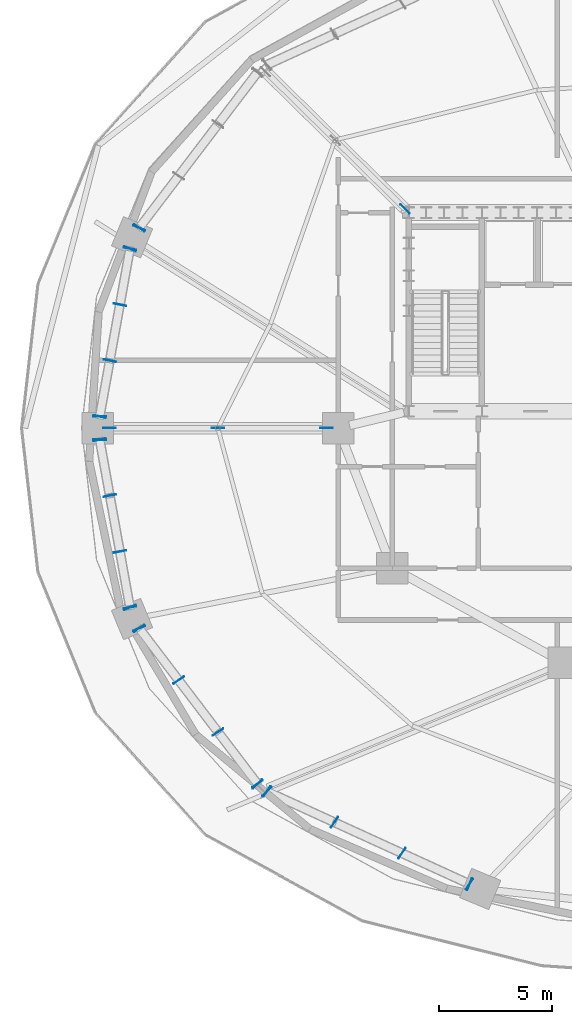
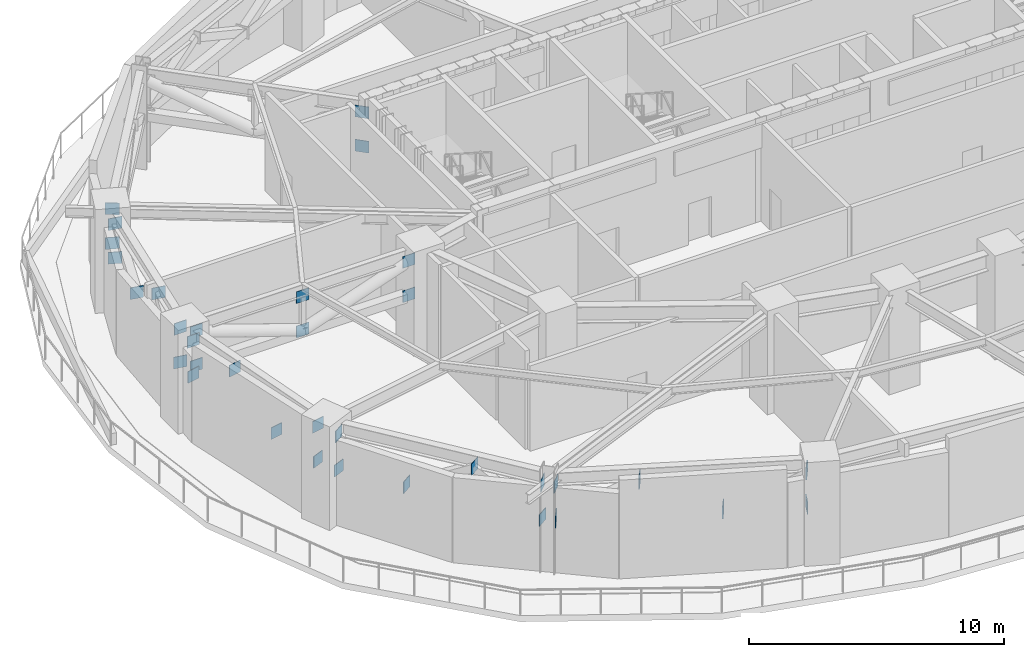
# One storey, part 10 of 18: 34 plates.
"""IFC4 building model written with IfcOpenShell, lengths in metres."""

from ifc_helpers import new_model, si_unit, direction, frame, origin, origin_2d, place, context, subcontext, project, spatial, rectangle, extrude, material, layer, layer_set, type_object, element, save


model = new_model("IFC4")

# Units and contexts
model_context = context("Model", 3, precision=1e-05, world=origin(), true_north=direction((0.0, 1.0)))
body_context = subcontext(model_context, "Body", "Model", "MODEL_VIEW")
ifc_project = project(units=[si_unit("LENGTHUNIT", "METRE"), si_unit("AREAUNIT", "SQUARE_METRE"), si_unit("VOLUMEUNIT", "CUBIC_METRE"), si_unit("PLANEANGLEUNIT", "RADIAN"), si_unit("MASSUNIT", "GRAM", prefix="KILO")], contexts=[model_context])

# Site, building, storey
site_placement = place(None, origin())
site = spatial("IfcSite", under=ifc_project, at=site_placement, CompositionType="ELEMENT")
building_placement = place(site_placement, origin())
building = spatial("IfcBuilding", under=site, at=building_placement, Name="Haldorwick Loom Tower", CompositionType="ELEMENT")
storey_placement = place(building_placement, frame((0.0, 0.0, 76.800048828125)))
storey = spatial("IfcBuildingStorey", under=building, at=storey_placement, Name="L20", CompositionType="ELEMENT", Elevation=76.800048828125)

# Plates
ifc_material = material(Name="Steel CSA G40.21 350W", Category="steel")
ifc_layer = layer(ifc_material, 0.028076171875, Name="Steel CSA G40.21 350W", Category="steel")
ifc_layer_set = layer_set([ifc_layer], Name="Steel CSA G40.21 350W")
plate_type = type_object("IfcPlateType", Name="STR-PLT-GUS28", PredefinedType="SHEET", material=ifc_layer_set)
for number, where, z_axis, x_axis, name in (
    (1, (9.984130859375, 34.87109375, 3.864013671875), (0.0, 0.0, 1.0), (-0.831469612303, 0.55557023302, 0.0), "L20 Truss Node Gusset Plate PLT-L20-BGUS-06-2B"),
    (2, (9.984130859375, 34.87109375, 2.219970703125), (0.0, 0.0, 1.0), (-0.923879532511, 0.382683432365, 0.0), "L20 Truss Node Gusset Plate PLT-L20-BGUS-06C"),
    (3, (9.576904296875, 33.945556640625, 3.864013671875), (0.0, 0.0, 1.0), (-0.980785280403, 0.195090322016, 0.0), "L20 Truss Node Gusset Plate PLT-L20-BGUS-07-0A"),
    (4, (9.129638671875, 31.467529296875, 2.219970703125), (0.0, 0.0, 1.0), (-0.980785280403, 0.195090322016, 0.0), "L20 Truss Node Gusset Plate PLT-L20-BGUS-07-0B"),
    (5, (8.68212890625, 28.98974609375, 3.864013671875), (0.0, 0.0, 1.0), (-0.980785280403, 0.195090322016, 0.0), "L20 Truss Node Gusset Plate PLT-L20-BGUS-07-1B"),
    (6, (8.23486328125, 26.51171875, 2.219970703125), (0.0, 0.0, 1.0), (-0.980785280403, 0.195090322016, 0.0), "L20 Truss Node Gusset Plate PLT-L20-BGUS-07-2B"),
    (7, (9.576904296875, 33.945556640625, 2.219970703125), (0.0, 0.0, 1.0), (-0.923879532511, 0.382683432365, 0.0), "L20 Truss Node Gusset Plate PLT-L20-BGUS-07A"),
    (8, (8.23486328125, 26.51171875, 3.864013671875), (0.0, 0.0, 1.0), (-1.0, 0.0, 0.0), "L20 Truss Node Gusset Plate PLT-L20-BGUS-07D"),
    (9, (8.23486328125, 25.48828125, 2.219970703125), (0.0, 0.0, 1.0), (-0.980785280403, -0.195090322016, 0.0), "L20 Truss Node Gusset Plate PLT-L20-BGUS-08-0A"),
    (10, (8.68212890625, 23.01025390625, 3.864013671875), (0.0, 0.0, 1.0), (-0.980785280403, -0.195090322016, 0.0), "L20 Truss Node Gusset Plate PLT-L20-BGUS-08-0B"),
    (11, (9.129638671875, 20.532470703125, 2.219970703125), (0.0, 0.0, 1.0), (-0.980785280403, -0.195090322016, 0.0), "L20 Truss Node Gusset Plate PLT-L20-BGUS-08-1B"),
    (12, (9.576904296875, 18.054443359375, 3.864013671875), (0.0, 0.0, 1.0), (-0.980785280403, -0.195090322016, 0.0), "L20 Truss Node Gusset Plate PLT-L20-BGUS-08-2B"),
    (13, (8.23486328125, 25.48828125, 3.864013671875), (0.0, 0.0, 1.0), (-1.0, 0.0, 0.0), "L20 Truss Node Gusset Plate PLT-L20-BGUS-08B"),
    (14, (9.576904296875, 18.054443359375, 2.219970703125), (0.0, 0.0, 1.0), (-0.923879532511, -0.382683432365, 0.0), "L20 Truss Node Gusset Plate PLT-L20-BGUS-08C"),
    (15, (9.984130859375, 17.12890625, 3.864013671875), (0.0, 0.0, 1.0), (-0.831469612303, -0.55557023302, 0.0), "L20 Truss Node Gusset Plate PLT-L20-BGUS-09-0A"),
    (16, (11.731689453125, 14.83154296875, 2.219970703125), (0.0, 0.0, 1.0), (-0.831469612303, -0.55557023302, 0.0), "L20 Truss Node Gusset Plate PLT-L20-BGUS-09-0B"),
    (17, (13.479248046875, 12.534423828125, 3.864013671875), (0.0, 0.0, 1.0), (-0.831469612303, -0.55557023302, 0.0), "L20 Truss Node Gusset Plate PLT-L20-BGUS-09-1B"),
    (18, (15.226806640625, 10.2373046875, 2.219970703125), (0.0, 0.0, 1.0), (-0.831469612303, -0.55557023302, 0.0), "L20 Truss Node Gusset Plate PLT-L20-BGUS-09-2B"),
    (19, (9.984130859375, 17.12890625, 2.219970703125), (0.0, 0.0, 1.0), (-0.923879532511, -0.382683432365, 0.0), "L20 Truss Node Gusset Plate PLT-L20-BGUS-09A"),
    (20, (15.226806640625, 10.2373046875, 3.864013671875), (0.0, 0.0, 1.0), (-0.707106781187, -0.707106781187, 0.0), "L20 Truss Node Gusset Plate PLT-L20-BGUS-09D"),
    (21, (15.643310546875, 9.90380859375, 2.219970703125), (0.0, 0.0, 1.0), (-0.55557023302, -0.831469612303, 0.0), "L20 Truss Node Gusset Plate PLT-L20-BGUS-10-0A"),
    (22, (18.6357421875, 8.535400390625, 3.864013671875), (0.0, 0.0, 1.0), (-0.55557023302, -0.831469612303, 0.0), "L20 Truss Node Gusset Plate PLT-L20-BGUS-10-0B"),
    (23, (21.628173828125, 7.1669921875, 2.219970703125), (0.0, 0.0, 1.0), (-0.55557023302, -0.831469612303, 0.0), "L20 Truss Node Gusset Plate PLT-L20-BGUS-10-1B"),
    (24, (24.62060546875, 5.798583984375, 3.864013671875), (0.0, 0.0, 1.0), (-0.55557023302, -0.831469612303, 0.0), "L20 Truss Node Gusset Plate PLT-L20-BGUS-10-2B"),
    (25, (15.643310546875, 9.90380859375, 3.864013671875), (0.0, 0.0, 1.0), (-0.707106781187, -0.707106781187, 0.0), "L20 Truss Node Gusset Plate PLT-L20-BGUS-10B"),
    (26, (24.62060546875, 5.798583984375, 2.219970703125), (0.0, 0.0, 1.0), (-0.382683432365, -0.923879532511, 0.0), "L20 Truss Node Gusset Plate PLT-L20-BGUS-10C"),
    (27, (21.76953125, 35.707763671875, 2.219970703125), (0.0, 0.0, 1.0), (-0.707106781187, 0.707106781187, 0.0), "L20 Truss Node Gusset Plate PLT-L20-OT-NW-CB0"),
    (28, (21.76953125, 35.707763671875, 3.863037109375), (0.0, 0.0, 1.0), (-0.707106781187, 0.707106781187, 0.0), "L20 Truss Node Gusset Plate PLT-L20-OT-NW-CT0"),
    (29, (18.280029296875, 26.0, 2.219970703125), (0.0, 0.0, 1.0), (-1.0, 0.0, 0.0), "L20 Truss Node Gusset Plate PLT-L20-OT-W-CB0"),
    (30, (18.280029296875, 26.0, 3.863037109375), (0.0, 0.0, 1.0), (-1.0, 0.0, 0.0), "L20 Truss Node Gusset Plate PLT-L20-OT-W-CT0"),
    (31, (13.47119140625, 26.0, 2.219970703125), (0.0, 0.0, 1.0), (-1.0, 0.0, 0.0), "L20 Truss Node Gusset Plate PLT-L20-OT-W-MB0"),
    (32, (13.47119140625, 26.0, 3.863037109375), (0.0, 0.0, 1.0), (-1.0, 0.0, 0.0), "L20 Truss Node Gusset Plate PLT-L20-OT-W-MT0"),
    (33, (8.662353515625, 26.0, 2.219970703125), (0.0, 0.0, 1.0), (-1.0, 0.0, 0.0), "L20 Truss Node Gusset Plate PLT-L20-OT-W-PB0"),
    (34, (8.662353515625, 26.0, 3.863037109375), (0.0, 0.0, 1.0), (-1.0, 0.0, 0.0), "L20 Truss Node Gusset Plate PLT-L20-OT-W-PT0"),
):
    element("IfcPlate", number, at=place(storey_placement, frame(where, z_axis=z_axis, x_axis=x_axis)), inside=storey, type_object=plate_type, Name=name, PredefinedType="SHEET", context=body_context, shape_type="SweptSolid", body=[
        extrude(rectangle(XDim=0.56005859375, YDim=0.028076171875, at=origin_2d()), origin(), (0.0, 0.0, 1.0), 0.56005859375),
    ])

save(model, "model.ifc")
